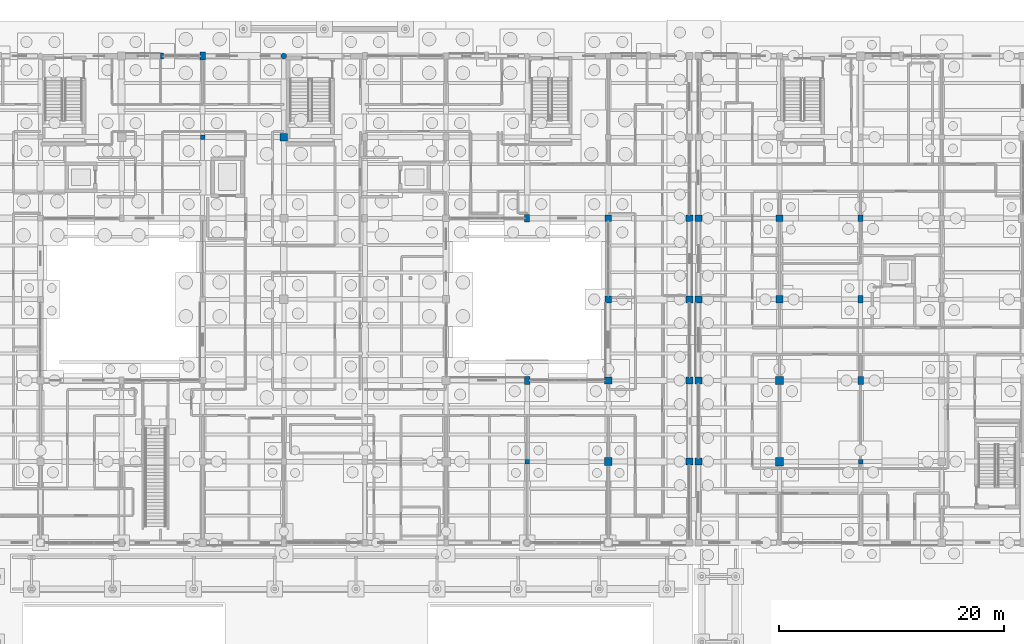
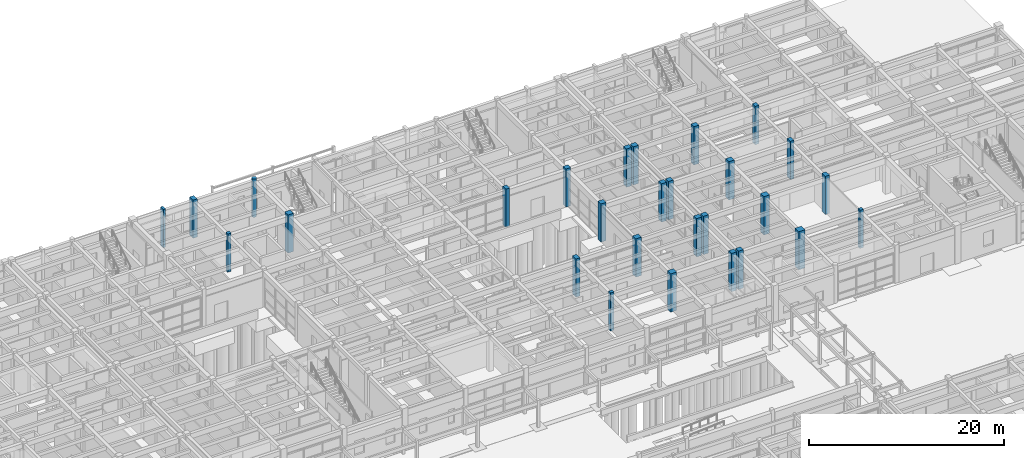
# One storey, part 26 of 143: 28 columns.
"""IFC4 building model written with IfcOpenShell, lengths in metres."""

from ifc_helpers import new_model, si_unit, direction, frame, origin, origin_2d, place, context, subcontext, project, spatial, rectangle, circle, extrude, material, material_profile, profile_set, type_object, element, save


model = new_model("IFC4")

# Units and contexts
model_context = context("Model", 3, precision=1e-05, world=origin(), true_north=direction((0.0, 1.0)))
body_context = subcontext(model_context, "Body", "Model", "MODEL_VIEW")
ifc_project = project(units=[si_unit("LENGTHUNIT", "METRE"), si_unit("AREAUNIT", "SQUARE_METRE"), si_unit("VOLUMEUNIT", "CUBIC_METRE"), si_unit("PLANEANGLEUNIT", "RADIAN"), si_unit("MASSUNIT", "GRAM", prefix="KILO")], contexts=[model_context])

# Site, building, storey
site_placement = place(None, origin())
site = spatial("IfcSite", under=ifc_project, at=site_placement, CompositionType="ELEMENT")
building_placement = place(site_placement, origin())
building = spatial("IfcBuilding", under=site, at=building_placement, Name="Steenspoor Specialist Clinic", CompositionType="ELEMENT")
storey_placement = place(building_placement, origin())
storey = spatial("IfcBuildingStorey", under=building, at=storey_placement, Name="L00", CompositionType="ELEMENT", Elevation=0.0)

# Columns
ifc_material = material(Name="Concrete C40/50", Category="concrete")
ifc_material_profile_1 = material_profile(ifc_material, rectangle(XDim=0.39990234375, YDim=0.39990234375, at=origin_2d()), Name="RC-COL-400X400")
ifc_profile_set_1 = profile_set([ifc_material_profile_1], Name="Concrete C40/50")
column_type_1 = type_object("IfcColumnType", Name="COL-RC-400", PredefinedType="COLUMN", material=ifc_profile_set_1)
for number, where, z_axis, x_axis, name in (
    (1, (74.0, 101.14990234375, 0.0), (0.0, 0.0, 1.0), (1.0, 0.0, 0.0), "Column COL-L00-0294"),
    (2, (102.800048828125, 72.35009765625, 0.0), (0.0, 0.0, 1.0), (1.0, 0.0, 0.0), "Column COL-L00-0420"),
    (3, (132.39990234375, 72.35009765625, 0.0), (0.0, 0.0, 1.0), (1.0, 0.0, 0.0), "Column COL-L00-0715"),
):
    element("IfcColumn", number, at=place(storey_placement, frame(where, z_axis=z_axis, x_axis=x_axis)), inside=storey, type_object=column_type_1, Name=name, PredefinedType="COLUMN", context=body_context, shape_type="SweptSolid", body=[
        extrude(rectangle(XDim=0.39990234375, YDim=0.39990234375, at=origin_2d()), origin(), (0.0, 0.0, 1.0), 4.800048828125),
    ])
ifc_material_profile_2 = material_profile(ifc_material, rectangle(XDim=0.449951171875, YDim=0.60009765625, at=origin_2d()), Name="RC-COL-450X600")
ifc_profile_set_2 = profile_set([ifc_material_profile_2], Name="Concrete C40/50")
column_type_2 = type_object("IfcColumnType", Name="COL-RC-450X600", PredefinedType="COLUMN", material=ifc_profile_set_2)
column_1_placement = place(storey_placement, frame((132.39990234375, 93.949951171875, 0.0), z_axis=(0.0, 0.0, 1.0), x_axis=(1.0, 0.0, 0.0)))
element("IfcColumn", 4, at=column_1_placement, inside=storey, type_object=column_type_2, Name="Column COL-L00-0730", PredefinedType="COLUMN", context=body_context, shape_type="SweptSolid", body=[
    extrude(rectangle(XDim=0.449951171875, YDim=0.60009765625, at=origin_2d()), origin(), (0.0, 0.0, 1.0), 4.800048828125),
])
ifc_material_profile_3 = material_profile(ifc_material, rectangle(XDim=0.449951171875, YDim=0.64990234375, at=origin_2d()), Name="RC-COL-450X650")
ifc_profile_set_3 = profile_set([ifc_material_profile_3], Name="Concrete C40/50")
column_type_3 = type_object("IfcColumnType", Name="COL-RC-450X650", PredefinedType="COLUMN", material=ifc_profile_set_3)
for number, where, z_axis, x_axis, name in (
    (5, (102.800048828125, 93.949951171875, 0.0), (0.0, 0.0, 1.0), (1.0, 0.0, 0.0), "Column COL-L00-0428"),
    (6, (132.39990234375, 86.75, 0.0), (0.0, 0.0, 1.0), (1.0, 0.0, 0.0), "Column COL-L00-0725"),
):
    element("IfcColumn", number, at=place(storey_placement, frame(where, z_axis=z_axis, x_axis=x_axis)), inside=storey, type_object=column_type_3, Name=name, PredefinedType="COLUMN", context=body_context, shape_type="SweptSolid", body=[
        extrude(rectangle(XDim=0.449951171875, YDim=0.64990234375, at=origin_2d()), origin(), (0.0, 0.0, 1.0), 4.800048828125),
    ])
ifc_material_profile_4 = material_profile(ifc_material, rectangle(XDim=0.5, YDim=0.699951171875, at=origin_2d()), Name="RC-COL-500X700")
ifc_profile_set_4 = profile_set([ifc_material_profile_4], Name="Concrete C40/50")
column_type_4 = type_object("IfcColumnType", Name="COL-RC-500X700", PredefinedType="COLUMN", material=ifc_profile_set_4)
for number, where, z_axis, x_axis, name in (
    (7, (74.0, 108.35009765625, 0.0), (0.0, 0.0, 1.0), (1.0, 0.0, 0.0), "Column COL-L00-0300"),
    (8, (102.800048828125, 79.550048828125, 0.0), (0.0, 0.0, 1.0), (1.0, 0.0, 0.0), "Column COL-L00-0424"),
    (9, (132.39990234375, 79.550048828125, 0.0), (0.0, 0.0, 1.0), (1.0, 0.0, 0.0), "Column COL-L00-0720"),
):
    element("IfcColumn", number, at=place(storey_placement, frame(where, z_axis=z_axis, x_axis=x_axis)), inside=storey, type_object=column_type_4, Name=name, PredefinedType="COLUMN", context=body_context, shape_type="SweptSolid", body=[
        extrude(rectangle(XDim=0.5, YDim=0.699951171875, at=origin_2d()), origin(), (0.0, 0.0, 1.0), 4.800048828125),
    ])
ifc_material_profile_5 = material_profile(ifc_material, rectangle(XDim=0.550048828125, YDim=0.550048828125, at=origin_2d()), Name="RC-COL-550X550")
ifc_profile_set_5 = profile_set([ifc_material_profile_5], Name="Concrete C40/50")
column_type_5 = type_object("IfcColumnType", Name="COL-RC-550", PredefinedType="COLUMN", material=ifc_profile_set_5)
column_2_placement = place(storey_placement, frame((110.0, 93.949951171875, 0.0), z_axis=(0.0, 0.0, 1.0), x_axis=(1.0, 0.0, 0.0)))
element("IfcColumn", 10, at=column_2_placement, inside=storey, type_object=column_type_5, Name="Column COL-L00-0461", PredefinedType="COLUMN", context=body_context, shape_type="SweptSolid", body=[
    extrude(rectangle(XDim=0.550048828125, YDim=0.550048828125, at=origin_2d()), origin(), (0.0, 0.0, 1.0), 4.800048828125),
])
ifc_material_profile_6 = material_profile(ifc_material, rectangle(XDim=0.60009765625, YDim=0.60009765625, at=origin_2d()), Name="RC-COL-600X600")
ifc_profile_set_6 = profile_set([ifc_material_profile_6], Name="Concrete C40/50")
column_type_6 = type_object("IfcColumnType", Name="COL-RC-600", PredefinedType="COLUMN", material=ifc_profile_set_6)
for number, where, z_axis, x_axis, name in (
    (11, (110.0, 86.75, 0.0), (0.0, 0.0, 1.0), (1.0, 0.0, 0.0), "Column COL-L00-0457"),
    (12, (117.199951171875, 72.35009765625, 0.0), (0.0, 0.0, 1.0), (1.0, 0.0, 0.0), "Column COL-L00-0482"),
    (13, (117.199951171875, 79.550048828125, 0.0), (0.0, 0.0, 1.0), (1.0, 0.0, 0.0), "Column COL-L00-0486"),
    (14, (117.199951171875, 86.75, 0.0), (0.0, 0.0, 1.0), (1.0, 0.0, 0.0), "Column COL-L00-0490"),
    (15, (117.199951171875, 93.949951171875, 0.0), (0.0, 0.0, 1.0), (1.0, 0.0, 0.0), "Column COL-L00-0494"),
    (16, (118.0, 72.35009765625, 0.0), (0.0, 0.0, 1.0), (1.0, 0.0, 0.0), "Column COL-L00-0647"),
    (17, (118.0, 79.550048828125, 0.0), (0.0, 0.0, 1.0), (1.0, 0.0, 0.0), "Column COL-L00-0652"),
    (18, (118.0, 86.75, 0.0), (0.0, 0.0, 1.0), (1.0, 0.0, 0.0), "Column COL-L00-0657"),
    (19, (118.0, 93.949951171875, 0.0), (0.0, 0.0, 1.0), (1.0, 0.0, 0.0), "Column COL-L00-0662"),
    (20, (125.199951171875, 93.949951171875, 0.0), (0.0, 0.0, 1.0), (1.0, 0.0, 0.0), "Column COL-L00-0696"),
):
    element("IfcColumn", number, at=place(storey_placement, frame(where, z_axis=z_axis, x_axis=x_axis)), inside=storey, type_object=column_type_6, Name=name, PredefinedType="COLUMN", context=body_context, shape_type="SweptSolid", body=[
        extrude(rectangle(XDim=0.60009765625, YDim=0.60009765625, at=origin_2d()), origin(), (0.0, 0.0, 1.0), 4.800048828125),
    ])
ifc_material_profile_7 = material_profile(ifc_material, rectangle(XDim=0.64990234375, YDim=0.64990234375, at=origin_2d()), Name="RC-COL-650X650")
ifc_profile_set_7 = profile_set([ifc_material_profile_7], Name="Concrete C40/50")
column_type_7 = type_object("IfcColumnType", Name="COL-RC-650", PredefinedType="COLUMN", material=ifc_profile_set_7)
for number, where, z_axis, x_axis, name in (
    (21, (81.199951171875, 101.14990234375, 0.0), (0.0, 0.0, 1.0), (1.0, 0.0, 0.0), "Column COL-L00-0331"),
    (22, (110.0, 79.550048828125, 0.0), (0.0, 0.0, 1.0), (1.0, 0.0, 0.0), "Column COL-L00-0453"),
    (23, (125.199951171875, 86.75, 0.0), (0.0, 0.0, 1.0), (1.0, 0.0, 0.0), "Column COL-L00-0691"),
):
    element("IfcColumn", number, at=place(storey_placement, frame(where, z_axis=z_axis, x_axis=x_axis)), inside=storey, type_object=column_type_7, Name=name, PredefinedType="COLUMN", context=body_context, shape_type="SweptSolid", body=[
        extrude(rectangle(XDim=0.64990234375, YDim=0.64990234375, at=origin_2d()), origin(), (0.0, 0.0, 1.0), 4.800048828125),
    ])
ifc_material_profile_8 = material_profile(ifc_material, rectangle(XDim=0.699951171875, YDim=0.699951171875, at=origin_2d()), Name="RC-COL-700X700")
ifc_profile_set_8 = profile_set([ifc_material_profile_8], Name="Concrete C40/50")
column_type_8 = type_object("IfcColumnType", Name="COL-RC-700", PredefinedType="COLUMN", material=ifc_profile_set_8)
for number, where, z_axis, x_axis, name in (
    (24, (110.0, 72.35009765625, 0.0), (0.0, 0.0, 1.0), (1.0, 0.0, 0.0), "Column COL-L00-0449"),
    (25, (125.199951171875, 79.550048828125, 0.0), (0.0, 0.0, 1.0), (1.0, 0.0, 0.0), "Column COL-L00-0686"),
):
    element("IfcColumn", number, at=place(storey_placement, frame(where, z_axis=z_axis, x_axis=x_axis)), inside=storey, type_object=column_type_8, Name=name, PredefinedType="COLUMN", context=body_context, shape_type="SweptSolid", body=[
        extrude(rectangle(XDim=0.699951171875, YDim=0.699951171875, at=origin_2d()), origin(), (0.0, 0.0, 1.0), 4.800048828125),
    ])
ifc_material_profile_9 = material_profile(ifc_material, rectangle(XDim=0.75, YDim=0.75, at=origin_2d()), Name="RC-COL-750X750")
ifc_profile_set_9 = profile_set([ifc_material_profile_9], Name="Concrete C40/50")
column_type_9 = type_object("IfcColumnType", Name="COL-RC-750", PredefinedType="COLUMN", material=ifc_profile_set_9)
column_3_placement = place(storey_placement, frame((125.199951171875, 72.35009765625, 0.0), z_axis=(0.0, 0.0, 1.0), x_axis=(1.0, 0.0, 0.0)))
element("IfcColumn", 26, at=column_3_placement, inside=storey, type_object=column_type_9, Name="Column COL-L00-0681", PredefinedType="COLUMN", context=body_context, shape_type="SweptSolid", body=[
    extrude(rectangle(XDim=0.75, YDim=0.75, at=origin_2d()), origin(), (0.0, 0.0, 1.0), 4.800048828125),
])
ifc_material_profile_10 = material_profile(ifc_material, circle(Radius=0.25, at=origin_2d()), Name="RC-COL-D500")
ifc_profile_set_10 = profile_set([ifc_material_profile_10], Name="Concrete C40/50")
column_type_10 = type_object("IfcColumnType", Name="COL-RC-D500", PredefinedType="COLUMN", material=ifc_profile_set_10)
column_4_placement = place(storey_placement, frame((81.199951171875, 108.35009765625, 0.0), z_axis=(0.0, 0.0, 1.0), x_axis=(1.0, 0.0, 0.0)))
element("IfcColumn", 27, at=column_4_placement, inside=storey, type_object=column_type_10, Name="Column COL-L00-0337", PredefinedType="COLUMN", context=body_context, shape_type="SweptSolid", body=[
    extrude(circle(Radius=0.25, at=origin_2d()), origin(), (0.0, 0.0, 1.0), 4.800048828125),
])
ifc_material_profile_11 = material_profile(ifc_material, rectangle(XDim=0.280029296875, YDim=0.56005859375, at=origin_2d()), Name="RC-PIL-280X560")
ifc_profile_set_11 = profile_set([ifc_material_profile_11], Name="Concrete C40/50")
column_type_11 = type_object("IfcColumnType", Name="PIL-RC-280X560", PredefinedType="PILASTER", material=ifc_profile_set_11)
column_5_placement = place(storey_placement, frame((70.39990234375, 108.35009765625, 0.0), z_axis=(0.0, 0.0, 1.0), x_axis=(1.0, 0.0, 0.0)))
element("IfcColumn", 28, at=column_5_placement, inside=storey, type_object=column_type_11, Name="Brick Pilaster PIL-L00-017", PredefinedType="PILASTER", context=body_context, shape_type="SweptSolid", body=[
    extrude(rectangle(XDim=0.280029296875, YDim=0.56005859375, at=origin_2d()), origin(), (0.0, 0.0, 1.0), 4.800048828125),
])

save(model, "model.ifc")
